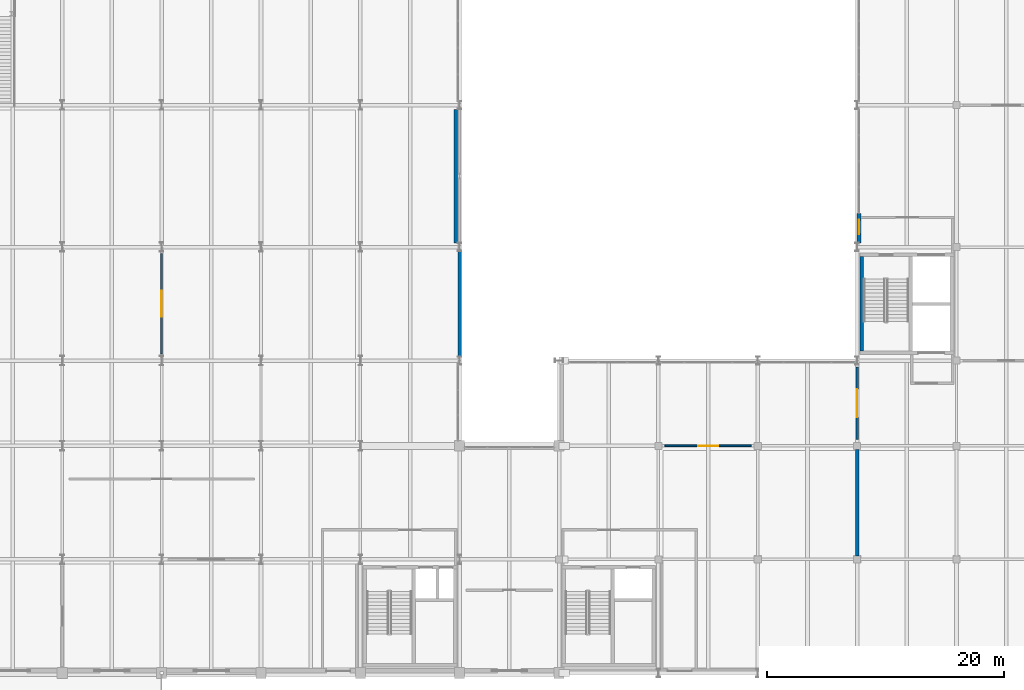
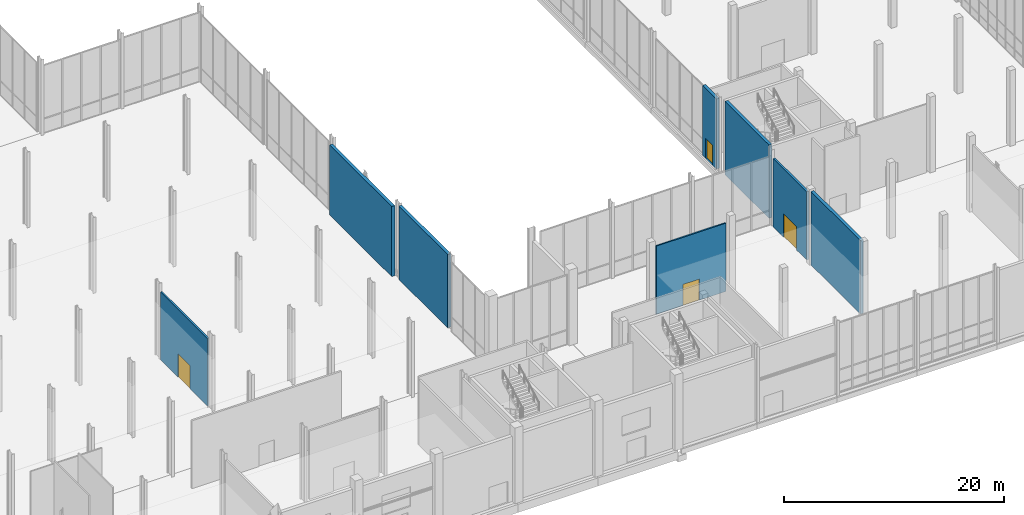
# One storey, part 118 of 131: 8 walls, 4 doors, 4 openings.
"""IFC4 building model written with IfcOpenShell, lengths in metres."""

from ifc_helpers import new_model, si_unit, direction, frame, frame_2d, origin, place, context, subcontext, project, spatial, rectangle, extrude, material, layer, layer_set, type_object, element, fill, save


model = new_model("IFC4")

# Units and contexts
model_context = context("Model", 3, precision=1e-05, world=origin(), true_north=direction((0.0, 1.0)))
body_context = subcontext(model_context, "Body", "Model", "MODEL_VIEW")
ifc_project = project(units=[si_unit("LENGTHUNIT", "METRE"), si_unit("AREAUNIT", "SQUARE_METRE"), si_unit("VOLUMEUNIT", "CUBIC_METRE"), si_unit("PLANEANGLEUNIT", "RADIAN"), si_unit("MASSUNIT", "GRAM", prefix="KILO")], contexts=[model_context])

# Site, building, storey
site_placement = place(None, origin())
site = spatial("IfcSite", under=ifc_project, at=site_placement, CompositionType="ELEMENT")
building_placement = place(site_placement, origin())
building = spatial("IfcBuilding", under=site, at=building_placement, Name="Veltarok Museum of Natural Sciences", CompositionType="ELEMENT")
storey_placement = place(building_placement, origin())
storey = spatial("IfcBuildingStorey", under=building, at=storey_placement, Name="L00", CompositionType="ELEMENT", Elevation=0.0)

# Wall, opening, door
ifc_material_1 = material(Name="Concrete C35/45", Category="concrete")
ifc_layer_1 = layer(ifc_material_1, 0.219970703125)
ifc_layer_set_1 = layer_set([ifc_layer_1], Name="Concrete C35/45")
wall_type_1 = type_object("IfcWallType", Name="Archive Compartment Partition 220", PredefinedType="PARTITIONING", material=ifc_layer_set_1)
wall_1_placement = place(storey_placement, frame((132.39990234375, 19.75, 0.0), z_axis=(0.0, 0.0, 1.0), x_axis=(0.0, 1.0, 0.0)))
wall_1 = element("IfcWall", 1, at=wall_1_placement, inside=storey, type_object=wall_type_1, Name="Interior Partition L00-023", PredefinedType="PARTITIONING", context=body_context, shape_type="SweptSolid", body=[
    extrude(rectangle(XDim=6.10009765625, YDim=0.219970703125, at=frame_2d((3.050048828125, 0.0))), origin(), (0.0, 0.0, 1.0), 7.58203125),
])
opening_1_placement = place(wall_1_placement, frame((1.85009765625, 0.0, 0.0)))
opening_1 = element("IfcOpeningElement", 2, at=opening_1_placement, cuts=wall_1, Name="Opening D-L00-149", PredefinedType="OPENING", context=body_context, shape_type="SweptSolid", body=[
    extrude(rectangle(XDim=2.39990234375, YDim=2.60009765625, at=frame_2d((1.199951171875, 1.300048828125))), frame((0.0, 0.1201171875, 0.0), z_axis=(0.0, -1.0, 0.0), x_axis=(1.0, 0.0, 0.0)), (0.0, 0.0, 1.0), 0.239990234375),
])
ifc_material_2 = material(Name="Heavy fire-rated steel", Category="steel")
door_type_1 = type_object("IfcDoorType", Name="Archive Crate Double Vault Door 2400x2600", OperationType="NOTDEFINED", PredefinedType="DOOR", material=ifc_material_2)
door_1_placement = place(opening_1_placement, origin())
door_1 = element("IfcDoor", 3, at=door_1_placement, inside=storey, type_object=door_type_1, Name="Interior Door D-L00-149", OperationType="DOUBLE_DOOR_SINGLE_SWING", OverallHeight=2.60009765625, OverallWidth=2.39990234375, PredefinedType="DOOR", context=body_context, shape_type="SweptSolid", body=[
    extrude(rectangle(XDim=2.39990234375, YDim=2.60009765625, at=frame_2d((1.199951171875, 1.300048828125))), frame((0.0, 0.02490234375, 0.0), z_axis=(0.0, -1.0, 0.0), x_axis=(1.0, 0.0, 0.0)), (0.0, 0.0, 1.0), 0.050048828125),
])
fill(opening_1, door_1)

ifc_material_3 = material(Name="Acoustic gypsum and mineral wool")
ifc_layer_2 = layer(ifc_material_3, 0.14990234375)
ifc_layer_set_2 = layer_set([ifc_layer_2], Name="Acoustic gypsum and mineral wool")
wall_type_2 = type_object("IfcWallType", Name="Conservation Laboratory Partition 150", PredefinedType="PARTITIONING", material=ifc_layer_set_2)
wall_2_placement = place(storey_placement, frame((116.14990234375, 19.199951171875, 0.0), z_axis=(0.0, 0.0, 1.0), x_axis=(1.0, 0.0, 0.0)))
wall_2 = element("IfcWall", 4, at=wall_2_placement, inside=storey, type_object=wall_type_2, Name="Interior Partition L00-021", PredefinedType="PARTITIONING", context=body_context, shape_type="SweptSolid", body=[
    extrude(rectangle(XDim=7.300048828125, YDim=0.14990234375, at=frame_2d((3.64990234375, 0.0))), origin(), (0.0, 0.0, 1.0), 7.58203125),
])
opening_2_placement = place(wall_2_placement, frame((2.800048828125, 0.0, 0.0)))
opening_2 = element("IfcOpeningElement", 5, at=opening_2_placement, cuts=wall_2, Name="Opening D-L00-147", PredefinedType="OPENING", context=body_context, shape_type="SweptSolid", body=[
    extrude(rectangle(XDim=1.699951171875, YDim=2.35009765625, at=frame_2d((0.85009765625, 1.175048828125))), frame((0.0, 0.0849609375, 0.0), z_axis=(0.0, -1.0, 0.0), x_axis=(1.0, 0.0, 0.0)), (0.0, 0.0, 1.0), 0.169921875),
])
ifc_material_4 = material(Name="Solid European oak and safety glass", Category="glass")
door_type_2 = type_object("IfcDoorType", Name="Gallery Interconnecting Double Door 1700x2350", OperationType="NOTDEFINED", PredefinedType="DOOR", material=ifc_material_4)
door_2_placement = place(opening_2_placement, origin())
door_2 = element("IfcDoor", 6, at=door_2_placement, inside=storey, type_object=door_type_2, Name="Interior Door D-L00-147", OperationType="DOUBLE_DOOR_SINGLE_SWING", OverallHeight=2.35009765625, OverallWidth=1.699951171875, PredefinedType="DOOR", context=body_context, shape_type="SweptSolid", body=[
    extrude(rectangle(XDim=1.699951171875, YDim=2.35009765625, at=frame_2d((0.85009765625, 1.175048828125))), frame((0.0, 0.02490234375, 0.0), z_axis=(0.0, -1.0, 0.0), x_axis=(1.0, 0.0, 0.0)), (0.0, 0.0, 1.0), 0.050048828125),
])
fill(opening_2, door_2)

ifc_layer_3 = layer(ifc_material_3, 0.179931640625)
ifc_layer_set_3 = layer_set([ifc_layer_3], Name="Acoustic gypsum and mineral wool")
wall_type_3 = type_object("IfcWallType", Name="Exhibition Gallery Partition 180", PredefinedType="PARTITIONING", material=ifc_layer_set_3)
wall_3_placement = place(storey_placement, frame((73.60009765625, 26.949951171875, 0.0), z_axis=(0.0, 0.0, 1.0), x_axis=(0.0, 1.0, 0.0)))
wall_3 = element("IfcWall", 7, at=wall_3_placement, inside=storey, type_object=wall_type_3, Name="Interior Partition L00-018", PredefinedType="PARTITIONING", context=body_context, shape_type="SweptSolid", body=[
    extrude(rectangle(XDim=8.5, YDim=0.179931640625, at=frame_2d((4.25, 0.0))), origin(), (0.0, 0.0, 1.0), 7.531982421875),
])
opening_3_placement = place(wall_3_placement, frame((3.14990234375, 0.0, 0.0)))
opening_3 = element("IfcOpeningElement", 8, at=opening_3_placement, cuts=wall_3, Name="Opening D-L00-144", PredefinedType="OPENING", context=body_context, shape_type="SweptSolid", body=[
    extrude(rectangle(XDim=2.199951171875, YDim=2.60009765625, at=frame_2d((1.10009765625, 1.300048828125))), frame((0.0, 0.10009765625, 0.0), z_axis=(0.0, -1.0, 0.0), x_axis=(1.0, 0.0, 0.0)), (0.0, 0.0, 1.0), 0.199951171875),
])
ifc_material_5 = material(Name="Solid European oak and acoustic glass", Category="glass")
door_type_3 = type_object("IfcDoorType", Name="Grand Gallery Double Portal Door 2200x2600", OperationType="NOTDEFINED", PredefinedType="DOOR", material=ifc_material_5)
door_3_placement = place(opening_3_placement, origin())
door_3 = element("IfcDoor", 9, at=door_3_placement, inside=storey, type_object=door_type_3, Name="Interior Door D-L00-144", OperationType="DOUBLE_DOOR_SINGLE_SWING", OverallHeight=2.60009765625, OverallWidth=2.199951171875, PredefinedType="DOOR", context=body_context, shape_type="SweptSolid", body=[
    extrude(rectangle(XDim=2.199951171875, YDim=2.60009765625, at=frame_2d((1.10009765625, 1.300048828125))), frame((0.0, 0.02490234375, 0.0), z_axis=(0.0, -1.0, 0.0), x_axis=(1.0, 0.0, 0.0)), (0.0, 0.0, 1.0), 0.050048828125),
])
fill(opening_3, door_3)

ifc_material_6 = material(Name="Precast concrete C40/50", Category="concrete")
ifc_layer_4 = layer(ifc_material_6, 0.320068359375)
ifc_layer_set_4 = layer_set([ifc_layer_4], Name="Precast concrete C40/50")
wall_type_4 = type_object("IfcWallType", Name="Insulated Precast Facade Wall 320", PredefinedType="SOLIDWALL", material=ifc_layer_set_4)
wall_4_placement = place(storey_placement, frame((132.56005859375, 38.85009765625, 0.0), z_axis=(0.0, 0.0, 1.0), x_axis=(0.0, -1.0, 0.0)))
wall_4 = element("IfcWall", 10, at=wall_4_placement, inside=storey, type_object=wall_type_4, Name="Core C5 West Courtyard Wall L00", PredefinedType="SOLIDWALL", context=body_context, shape_type="SweptSolid", body=[
    extrude(rectangle(XDim=2.5, YDim=0.320068359375, at=frame_2d((1.25, 0.0))), origin(), (0.0, 0.0, 1.0), 7.780029296875),
])
opening_4_placement = place(wall_4_placement, frame((0.550048828125, 0.0, 0.0)))
opening_4 = element("IfcOpeningElement", 11, at=opening_4_placement, cuts=wall_4, Name="Opening E-13", PredefinedType="OPENING", context=body_context, shape_type="SweptSolid", body=[
    extrude(rectangle(XDim=1.199951171875, YDim=2.199951171875, at=frame_2d((0.60009765625, 1.10009765625))), frame((0.0, 0.169921875, 0.0), z_axis=(0.0, -1.0, 0.0), x_axis=(1.0, 0.0, 0.0)), (0.0, 0.0, 1.0), 0.340087890625),
])
ifc_material_7 = material(Name="Thermally broken aluminium and glass", Category="aluminium")
door_type_4 = type_object("IfcDoorType", Name="Terrace Single Glazed Door 1200x2200", OperationType="NOTDEFINED", PredefinedType="DOOR", material=ifc_material_7)
door_4_placement = place(opening_4_placement, frame((1.199951171875, 0.0, 0.0), z_axis=(0.0, 0.0, 1.0), x_axis=(-1.0, 0.0, 0.0)))
door_4 = element("IfcDoor", 12, at=door_4_placement, inside=storey, type_object=door_type_4, Name="Pedestrian Final Exit E-13 East Court", OperationType="SINGLE_SWING_LEFT", OverallHeight=2.199951171875, OverallWidth=1.199951171875, PredefinedType="DOOR", context=body_context, shape_type="SweptSolid", body=[
    extrude(rectangle(XDim=1.199951171875, YDim=2.199951171875, at=frame_2d((0.60009765625, 1.10009765625))), frame((0.0, 0.02490234375, 0.0), z_axis=(0.0, -1.0, 0.0), x_axis=(1.0, 0.0, 0.0)), (0.0, 0.0, 1.0), 0.050048828125),
])
fill(opening_4, door_4)

# Walls
wall_5_placement = place(storey_placement, frame((98.4599609375, 36.35009765625, 0.0), z_axis=(0.0, 0.0, 1.0), x_axis=(0.0, 1.0, 0.0)))
element("IfcWall", 13, at=wall_5_placement, inside=storey, type_object=wall_type_4, Name="Central Hall Braced Bay Backup Wall L00 12/E-F", PredefinedType="SOLIDWALL", context=body_context, shape_type="SweptSolid", body=[
    extrude(rectangle(XDim=11.2998046875, YDim=0.320068359375, at=frame_2d((5.64990234375, 0.0))), origin(), (0.0, 0.0, 1.0), 7.780029296875),
])
ifc_material_8 = material(Name="Concrete C40/50", Category="concrete")
ifc_layer_5 = layer(ifc_material_8, 0.320068359375)
ifc_layer_set_5 = layer_set([ifc_layer_5], Name="Concrete C40/50")
wall_type_5 = type_object("IfcWallType", Name="Interior Lateral Concrete Shear Wall 320", PredefinedType="SHEAR", material=ifc_layer_set_5)
wall_6_placement = place(storey_placement, frame((98.800048828125, 26.75, 0.0), z_axis=(0.0, 0.0, 1.0), x_axis=(0.0, 1.0, 0.0)))
element("IfcWall", 14, at=wall_6_placement, inside=storey, type_object=wall_type_5, Name="Interior Shear Wall SW1 L00", PredefinedType="SHEAR", context=body_context, shape_type="SweptSolid", body=[
    extrude(rectangle(XDim=8.89990234375, YDim=0.320068359375, at=frame_2d((4.449951171875, 0.0))), origin(), (0.0, 0.0, 1.0), 8.14990234375),
])
wall_7_placement = place(storey_placement, frame((132.39990234375, 9.89990234375, 0.0), z_axis=(0.0, 0.0, 1.0), x_axis=(0.0, 1.0, 0.0)))
element("IfcWall", 15, at=wall_7_placement, inside=storey, type_object=wall_type_5, Name="Interior Shear Wall SW2 L00", PredefinedType="SHEAR", context=body_context, shape_type="SweptSolid", body=[
    extrude(rectangle(XDim=9.0, YDim=0.320068359375, at=frame_2d((4.5, 0.0))), origin(), (0.0, 0.0, 1.0), 8.14990234375),
])
ifc_layer_6 = layer(ifc_material_8, 0.300048828125)
ifc_layer_set_6 = layer_set([ifc_layer_6], Name="Concrete C40/50")
wall_type_6 = type_object("IfcWallType", Name="Protected Core Shear Wall 300", PredefinedType="SHEAR", material=ifc_layer_set_6)
wall_8_placement = place(storey_placement, frame((132.780029296875, 35.199951171875, 0.0), z_axis=(0.0, 0.0, 1.0), x_axis=(0.0, -1.0, 0.0)))
element("IfcWall", 16, at=wall_8_placement, inside=storey, type_object=wall_type_6, Name="Core Shear Wall C5 L00 W", PredefinedType="SHEAR", context=body_context, shape_type="SweptSolid", body=[
    extrude(rectangle(XDim=8.0, YDim=0.300048828125, at=frame_2d((4.0, 0.0))), origin(), (0.0, 0.0, 1.0), 8.14990234375),
])

save(model, "model.ifc")
